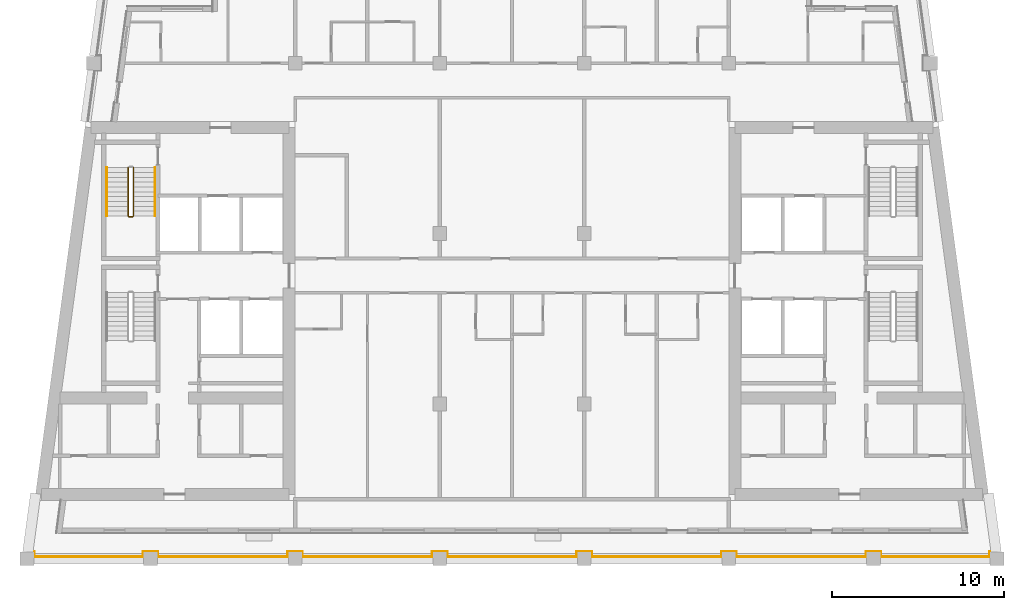
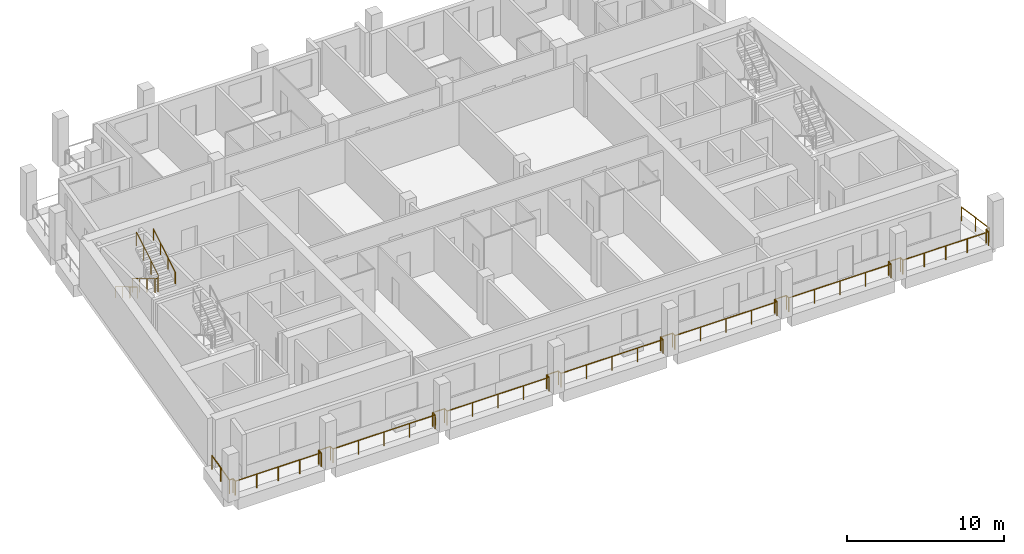
# One storey, part 9 of 13: 4 railings.
"""IFC4 building model written with IfcOpenShell, lengths in metres."""

import ifcopenshell
import ifcopenshell.guid

model = None  # the IFC model being written
_history = None  # IfcOwnerHistory: only IFC2X3 demands one
_inside = {}  # id of a spatial element -> (the spatial element, [elements in it])
_under = {}  # id of a project, library or spatial element -> (it, [spatial elements below it])
_declared = {}  # id of a project -> (the project, [libraries it declares])
_typed = {}  # id of a type object -> (the type object, [elements of that type])
_made_of = {}  # id of a material, layer set ... -> (it, [elements and type objects made of it])


def new_model(schema):
    """Start an empty IFC model of exactly this schema.

    Asked for "IFC4X3", IfcOpenShell would pick the latest addendum, in which some entities
    have other attributes; the version numbers below select the first issue.
    IFC2X3 requires an IfcOwnerHistory on every rooted entity: one is made here for all.
    """
    global model, _history
    if schema == "IFC4X3":
        model = ifcopenshell.file(schema_version=(4, 3, 0, 0))
    else:
        model = ifcopenshell.file(schema=schema)
    _inside.clear()
    _under.clear()
    _declared.clear()
    _typed.clear()
    _made_of.clear()
    _history = None
    if model.schema == "IFC2X3":
        org = make("IfcOrganization", Name="unknown")
        user = make(
            "IfcPersonAndOrganization",
            ThePerson=make("IfcPerson", FamilyName="unknown"),
            TheOrganization=org,
        )
        app = make(
            "IfcApplication",
            ApplicationDeveloper=org,
            Version="unknown",
            ApplicationFullName="unknown",
            ApplicationIdentifier="unknown",
        )
        _history = make(
            "IfcOwnerHistory",
            OwningUser=user,
            OwningApplication=app,
            ChangeAction="ADDED",
            CreationDate=0,
        )
    return model


def make(cls, **values):
    """One entity of the class cls with the attributes given. An attribute that is None is left unset."""
    return model.create_entity(
        cls, **{name: value for name, value in values.items() if value is not None}
    )


def rooted(cls, **values):
    """An entity with a GlobalId (a new one), such as an element, a storey or a relation."""
    return make(cls, GlobalId=ifcopenshell.guid.new(), OwnerHistory=_history, **values)


def si_unit(unit_type, name, prefix=None):
    """IfcSIUnit, for example si_unit("LENGTHUNIT", "METRE", prefix="MILLI")."""
    return make("IfcSIUnit", UnitType=unit_type, Prefix=prefix, Name=name)


def assignment(units):
    """IfcUnitAssignment: the units of a project."""
    return None if units is None else make("IfcUnitAssignment", Units=units)


def point(xyz):
    """IfcCartesianPoint."""
    return None if xyz is None else make("IfcCartesianPoint", Coordinates=xyz)


def direction(xyz):
    """IfcDirection."""
    return None if xyz is None else make("IfcDirection", DirectionRatios=xyz)


def frame(location, z_axis=None, x_axis=None):
    """IfcAxis2Placement3D, a coordinate frame: its origin and axes. An axis left out is left unset."""
    return make(
        "IfcAxis2Placement3D",
        Location=point(location),
        Axis=direction(z_axis),
        RefDirection=direction(x_axis),
    )


def frame_2d(location, x_axis=None):
    """IfcAxis2Placement2D, a coordinate frame in the plane: its origin and x axis."""
    return make(
        "IfcAxis2Placement2D", Location=point(location), RefDirection=direction(x_axis)
    )


def origin():
    """The frame at (0, 0, 0) with its axes left unset."""
    return frame((0.0, 0.0, 0.0))


def origin_2d():
    """The frame at (0, 0) in the plane with its x axis left unset."""
    return frame_2d((0.0, 0.0))


def place(relative_to, where):
    """IfcLocalPlacement: puts the frame where relative to a parent placement (None: the world)."""
    return make(
        "IfcLocalPlacement", PlacementRelTo=relative_to, RelativePlacement=where
    )


def context(
    kind, dimensions, precision=None, world=None, true_north=None, identifier=None
):
    """IfcGeometricRepresentationContext, for example the 3D "Model" context."""
    return make(
        "IfcGeometricRepresentationContext",
        ContextIdentifier=identifier,
        ContextType=kind,
        CoordinateSpaceDimension=dimensions,
        Precision=precision,
        WorldCoordinateSystem=world,
        TrueNorth=true_north,
    )


def subcontext(parent, identifier, kind, view, scale=None):
    """IfcGeometricRepresentationSubContext, for example "Body" below "Model"."""
    return make(
        "IfcGeometricRepresentationSubContext",
        ContextIdentifier=identifier,
        ContextType=kind,
        ParentContext=parent,
        TargetScale=scale,
        TargetView=view,
    )


def project(units=None, contexts=None):
    """IfcProject with its units and contexts."""
    return rooted(
        "IfcProject",
        Name="project",
        RepresentationContexts=contexts,
        UnitsInContext=assignment(units),
    )


def spatial(cls, under=None, at=None, **own):
    """A site, building, storey or space (cls), placed at a placement, below another one or the project."""
    s = rooted(cls, ObjectPlacement=at, **own)
    if under is not None:
        _under.setdefault(under.id(), (under, []))[1].append(s)
    return s


def profile(cls, at=None, kind="AREA", **sizes):
    """A parametric profile (cls). Its sizes go by their IFC names, for example OverallWidth=200.0."""
    return make(cls, ProfileType=kind, Position=at, **sizes)


def circle(**sizes):
    """IfcCircleProfileDef."""
    return profile("IfcCircleProfileDef", **sizes)


def extrude(swept, where, along, depth):
    """IfcExtrudedAreaSolid: the profile swept, set in the frame where, extruded along a direction by depth."""
    return make(
        "IfcExtrudedAreaSolid",
        SweptArea=swept,
        Position=where,
        ExtrudedDirection=direction(along),
        Depth=depth,
    )


def shape(context_of_items, identifier, shape_type, items):
    """IfcShapeRepresentation: the items that make up one representation, for example the "Body"."""
    return make(
        "IfcShapeRepresentation",
        ContextOfItems=context_of_items,
        RepresentationIdentifier=identifier,
        RepresentationType=shape_type,
        Items=items,
    )


def material(Name=None, Category=None):
    """IfcMaterial."""
    return make("IfcMaterial", Name=Name, Category=Category)


def made_of(thing, what):
    """Note that an element or type object is made of a material, layer set ...; save() writes the relation."""
    if what is not None:
        _made_of.setdefault(what.id(), (what, []))[1].append(thing)
    return thing


def type_object(cls, material=None, **own):
    """A type object (cls), such as IfcWallType, which elements share."""
    return made_of(rooted(cls, **own), material)


def element(
    cls,
    number,
    at=None,
    inside=None,
    cuts=None,
    type_object=None,
    material=None,
    context=None,
    identifier="Body",
    shape_type=None,
    held_by="IfcProductDefinitionShape",
    body=None,
    shapes=None,
    **own,
):
    """One element of the class cls, such as IfcWall. Its Tag is "e" and its number.

    at: its placement. inside: the storey or other place that contains it. cuts: it is an
    opening in that element (IfcRelVoidsElement). A single representation is given by context,
    identifier, shape_type and body (its items); several are given by shapes. held_by: the class
    of the entity that holds the representations. save() writes the other relations.
    """
    e = rooted(cls, Tag="e%d" % number, ObjectPlacement=at, **own)
    if body is not None:
        shapes = [shape(context, identifier, shape_type, body)]
    if shapes is not None:
        e.Representation = make(held_by, Representations=shapes)
    if inside is not None:
        _inside.setdefault(inside.id(), (inside, []))[1].append(e)
    if cuts is not None:
        rooted(
            "IfcRelVoidsElement", RelatingBuildingElement=cuts, RelatedOpeningElement=e
        )
    if type_object is not None:
        _typed.setdefault(type_object.id(), (type_object, []))[1].append(e)
    return made_of(e, material)


def aggregate(whole, parts):
    """IfcRelAggregates: a whole, such as a stair, and the parts it consists of."""
    return rooted("IfcRelAggregates", RelatingObject=whole, RelatedObjects=parts)


def save(model, path):
    """Write the relations noted so far, then the file.

    IfcRelAggregates (storeys below a building ...), IfcRelContainedInSpatialStructure (elements
    in a storey), IfcRelDefinesByType, IfcRelAssociatesMaterial and IfcRelDeclares: one each for
    every whole, place, type object, material and project.
    """
    for whole, parts in _under.values():
        aggregate(whole, parts)
    for where, things in _inside.values():
        rooted(
            "IfcRelContainedInSpatialStructure",
            RelatedElements=things,
            RelatingStructure=where,
        )
    for kind, things in _typed.values():
        rooted("IfcRelDefinesByType", RelatedObjects=things, RelatingType=kind)
    for what, things in _made_of.values():
        rooted("IfcRelAssociatesMaterial", RelatedObjects=things, RelatingMaterial=what)
    for by, libraries in _declared.values():
        rooted("IfcRelDeclares", RelatingContext=by, RelatedDefinitions=libraries)
    model.write(path)


model = new_model("IFC4")

# Units and contexts
model_context = context("Model", 3, precision=1e-05, world=origin(), true_north=direction((0.0, 1.0)))
body_context = subcontext(model_context, "Body", "Model", "MODEL_VIEW")
ifc_project = project(units=[si_unit("LENGTHUNIT", "METRE"), si_unit("AREAUNIT", "SQUARE_METRE"), si_unit("VOLUMEUNIT", "CUBIC_METRE"), si_unit("PLANEANGLEUNIT", "RADIAN"), si_unit("MASSUNIT", "GRAM", prefix="KILO")], contexts=[model_context])

# Site, building, storey
site_placement = place(None, origin())
site = spatial("IfcSite", under=ifc_project, at=site_placement, CompositionType="ELEMENT")
building_placement = place(site_placement, origin())
building = spatial("IfcBuilding", under=site, at=building_placement, Name="Candeia Pilgrim Tower and Theatre", CompositionType="ELEMENT")
storey_placement = place(building_placement, frame((0.0, 0.0, 270.10009765625)))
storey = spatial("IfcBuildingStorey", under=building, at=storey_placement, Name="L65", CompositionType="ELEMENT", Elevation=270.10009765625)

# Railings
ifc_material_1 = material(Name="Stainless steel balustrade", Category="steel")
railing_type_1 = type_object("IfcRailingType", Name="G1 loggia guard 1100", PredefinedType="GUARDRAIL", material=ifc_material_1)
railing_1_placement = place(storey_placement, frame((141.016357421875, 110.35009765625, 0.0)))
element("IfcRailing", 1, at=railing_1_placement, inside=storey, type_object=railing_type_1, Name="Guard L65.3", PredefinedType="GUARDRAIL", context=body_context, shape_type="SweptSolid", body=[
    extrude(circle(Radius=0.02392578125, at=origin_2d()), frame((0.0, 0.0, 1.076171875), z_axis=(0.133401056725, -0.991062136329, 0.0), x_axis=(0.991062136329, 0.133401056725, 0.0)), (0.0, 0.0, 1.0), 2.946533203125),
    extrude(circle(Radius=0.02392578125, at=origin_2d()), frame((0.39306640625, -2.920166015625, 1.076171875), z_axis=(-1.0, 0.0, 0.0), x_axis=(0.0, -1.0, 0.0)), (0.0, 0.0, 1.0), 0.2509765625),
    extrude(circle(Radius=0.02392578125, at=origin_2d()), frame((0.14208984375, -2.920166015625, 1.076171875), z_axis=(0.0, -1.0, 0.0), x_axis=(1.0, 0.0, 0.0)), (0.0, 0.0, 1.0), 0.309814453125),
    extrude(circle(Radius=0.02392578125, at=origin_2d()), frame((0.14208984375, -3.22998046875, 1.076171875), z_axis=(-1.0, 0.0, 0.0), x_axis=(0.0, -1.0, 0.0)), (0.0, 0.0, 1.0), 6.328369140625),
    extrude(circle(Radius=0.02392578125, at=origin_2d()), frame((-6.186279296875, -3.22998046875, 1.076171875), z_axis=(0.0, 1.0, 0.0), x_axis=(-1.0, 0.0, 0.0)), (0.0, 0.0, 1.0), 0.309814453125),
    extrude(circle(Radius=0.02392578125, at=origin_2d()), frame((-6.186279296875, -2.920166015625, 1.076171875), z_axis=(-1.0, 0.0, 0.0), x_axis=(0.0, -1.0, 0.0)), (0.0, 0.0, 1.0), 0.860107421875),
    extrude(circle(Radius=0.02392578125, at=origin_2d()), frame((-7.04638671875, -2.920166015625, 1.076171875), z_axis=(0.0, -1.0, 0.0), x_axis=(1.0, 0.0, 0.0)), (0.0, 0.0, 1.0), 0.309814453125),
    extrude(circle(Radius=0.02392578125, at=origin_2d()), frame((-7.04638671875, -3.22998046875, 1.076171875), z_axis=(-1.0, 0.0, 0.0), x_axis=(0.0, -1.0, 0.0)), (0.0, 0.0, 1.0), 7.5400390625),
    extrude(circle(Radius=0.02392578125, at=origin_2d()), frame((-14.58642578125, -3.22998046875, 1.076171875), z_axis=(0.0, 1.0, 0.0), x_axis=(-1.0, 0.0, 0.0)), (0.0, 0.0, 1.0), 0.309814453125),
    extrude(circle(Radius=0.02392578125, at=origin_2d()), frame((-14.58642578125, -2.920166015625, 1.076171875), z_axis=(-1.0, 0.0, 0.0), x_axis=(0.0, -1.0, 0.0)), (0.0, 0.0, 1.0), 0.85986328125),
    extrude(circle(Radius=0.02392578125, at=origin_2d()), frame((-15.4462890625, -2.920166015625, 1.076171875), z_axis=(0.0, -1.0, 0.0), x_axis=(1.0, 0.0, 0.0)), (0.0, 0.0, 1.0), 0.309814453125),
    extrude(circle(Radius=0.02392578125, at=origin_2d()), frame((-15.4462890625, -3.22998046875, 1.076171875), z_axis=(-1.0, 0.0, 0.0), x_axis=(0.0, -1.0, 0.0)), (0.0, 0.0, 1.0), 7.5400390625),
    extrude(circle(Radius=0.02392578125, at=origin_2d()), frame((-22.986328125, -3.22998046875, 1.076171875), z_axis=(0.0, 1.0, 0.0), x_axis=(-1.0, 0.0, 0.0)), (0.0, 0.0, 1.0), 0.309814453125),
    extrude(circle(Radius=0.02392578125, at=origin_2d()), frame((-22.986328125, -2.920166015625, 1.076171875), z_axis=(-1.0, 0.0, 0.0), x_axis=(0.0, -1.0, 0.0)), (0.0, 0.0, 1.0), 0.860107421875),
    extrude(circle(Radius=0.02392578125, at=origin_2d()), frame((-23.846435546875, -2.920166015625, 1.076171875), z_axis=(0.0, -1.0, 0.0), x_axis=(1.0, 0.0, 0.0)), (0.0, 0.0, 1.0), 0.309814453125),
    extrude(circle(Radius=0.02392578125, at=origin_2d()), frame((-23.846435546875, -3.22998046875, 1.076171875), z_axis=(-1.0, 0.0, 0.0), x_axis=(0.0, -1.0, 0.0)), (0.0, 0.0, 1.0), 7.5400390625),
    extrude(circle(Radius=0.02392578125, at=origin_2d()), frame((-31.386474609375, -3.22998046875, 1.076171875), z_axis=(0.0, 1.0, 0.0), x_axis=(-1.0, 0.0, 0.0)), (0.0, 0.0, 1.0), 0.309814453125),
    extrude(circle(Radius=0.02392578125, at=origin_2d()), frame((-31.386474609375, -2.920166015625, 1.076171875), z_axis=(-1.0, 0.0, 0.0), x_axis=(0.0, -1.0, 0.0)), (0.0, 0.0, 1.0), 0.85986328125),
    extrude(circle(Radius=0.02392578125, at=origin_2d()), frame((-32.246337890625, -2.920166015625, 1.076171875), z_axis=(0.0, -1.0, 0.0), x_axis=(1.0, 0.0, 0.0)), (0.0, 0.0, 1.0), 0.309814453125),
    extrude(circle(Radius=0.02392578125, at=origin_2d()), frame((-32.246337890625, -3.22998046875, 1.076171875), z_axis=(-1.0, 0.0, 0.0), x_axis=(0.0, -1.0, 0.0)), (0.0, 0.0, 1.0), 7.5400390625),
    extrude(circle(Radius=0.02392578125, at=origin_2d()), frame((-39.786376953125, -3.22998046875, 1.076171875), z_axis=(0.0, 1.0, 0.0), x_axis=(-1.0, 0.0, 0.0)), (0.0, 0.0, 1.0), 0.309814453125),
    extrude(circle(Radius=0.02392578125, at=origin_2d()), frame((-39.786376953125, -2.920166015625, 1.076171875), z_axis=(-1.0, 0.0, 0.0), x_axis=(0.0, -1.0, 0.0)), (0.0, 0.0, 1.0), 0.85986328125),
    extrude(circle(Radius=0.02392578125, at=origin_2d()), frame((-40.646240234375, -2.920166015625, 1.076171875), z_axis=(0.0, -1.0, 0.0), x_axis=(1.0, 0.0, 0.0)), (0.0, 0.0, 1.0), 0.309814453125),
    extrude(circle(Radius=0.02392578125, at=origin_2d()), frame((-40.646240234375, -3.22998046875, 1.076171875), z_axis=(-1.0, 0.0, 0.0), x_axis=(0.0, -1.0, 0.0)), (0.0, 0.0, 1.0), 7.5400390625),
    extrude(circle(Radius=0.02392578125, at=origin_2d()), frame((-48.186279296875, -3.22998046875, 1.076171875), z_axis=(0.0, 1.0, 0.0), x_axis=(-1.0, 0.0, 0.0)), (0.0, 0.0, 1.0), 0.309814453125),
    extrude(circle(Radius=0.02392578125, at=origin_2d()), frame((-48.186279296875, -2.920166015625, 1.076171875), z_axis=(-1.0, 0.0, 0.0), x_axis=(0.0, -1.0, 0.0)), (0.0, 0.0, 1.0), 0.860107421875),
    extrude(circle(Radius=0.02392578125, at=origin_2d()), frame((-49.04638671875, -2.920166015625, 1.076171875), z_axis=(0.0, -1.0, 0.0), x_axis=(1.0, 0.0, 0.0)), (0.0, 0.0, 1.0), 0.309814453125),
    extrude(circle(Radius=0.02392578125, at=origin_2d()), frame((-49.04638671875, -3.22998046875, 1.076171875), z_axis=(-1.0, 0.0, 0.0), x_axis=(0.0, -1.0, 0.0)), (0.0, 0.0, 1.0), 6.328369140625),
    extrude(circle(Radius=0.02392578125, at=origin_2d()), frame((-55.374755859375, -3.22998046875, 1.076171875), z_axis=(0.0, 1.0, 0.0), x_axis=(-1.0, 0.0, 0.0)), (0.0, 0.0, 1.0), 0.309814453125),
    extrude(circle(Radius=0.02392578125, at=origin_2d()), frame((-55.374755859375, -2.920166015625, 1.076171875), z_axis=(-1.0, 0.0, 0.0), x_axis=(0.0, -1.0, 0.0)), (0.0, 0.0, 1.0), 0.2509765625),
    extrude(circle(Radius=0.02392578125, at=origin_2d()), frame((-55.625732421875, -2.920166015625, 1.076171875), z_axis=(0.133401056725, 0.991062136329, 0.0), x_axis=(-0.991062136329, 0.133401056725, 0.0)), (0.0, 0.0, 1.0), 2.946533203125),
    extrude(circle(Radius=0.02099609375, at=origin_2d()), origin(), (0.0, 0.0, 1.0), 1.052001953125),
    extrude(circle(Radius=0.02099609375, at=origin_2d()), frame((0.196533203125, -1.4599609375, 0.0)), (0.0, 0.0, 1.0), 1.052001953125),
    extrude(circle(Radius=0.02099609375, at=origin_2d()), frame((0.39306640625, -2.920166015625, 0.0)), (0.0, 0.0, 1.0), 1.052001953125),
    extrude(circle(Radius=0.02099609375, at=origin_2d()), frame((0.14208984375, -2.920166015625, 0.0)), (0.0, 0.0, 1.0), 1.052001953125),
    extrude(circle(Radius=0.02099609375, at=origin_2d()), frame((0.14208984375, -3.22998046875, 0.0)), (0.0, 0.0, 1.0), 1.052001953125),
    extrude(circle(Radius=0.02099609375, at=origin_2d()), frame((-1.43994140625, -3.22998046875, 0.0)), (0.0, 0.0, 1.0), 1.052001953125),
    extrude(circle(Radius=0.02099609375, at=origin_2d()), frame((-3.02197265625, -3.22998046875, 0.0)), (0.0, 0.0, 1.0), 1.052001953125),
    extrude(circle(Radius=0.02099609375, at=origin_2d()), frame((-4.604248046875, -3.22998046875, 0.0)), (0.0, 0.0, 1.0), 1.052001953125),
    extrude(circle(Radius=0.02099609375, at=origin_2d()), frame((-6.186279296875, -3.22998046875, 0.0)), (0.0, 0.0, 1.0), 1.052001953125),
    extrude(circle(Radius=0.02099609375, at=origin_2d()), frame((-6.186279296875, -2.920166015625, 0.0)), (0.0, 0.0, 1.0), 1.052001953125),
    extrude(circle(Radius=0.02099609375, at=origin_2d()), frame((-7.04638671875, -2.920166015625, 0.0)), (0.0, 0.0, 1.0), 1.052001953125),
    extrude(circle(Radius=0.02099609375, at=origin_2d()), frame((-7.04638671875, -3.22998046875, 0.0)), (0.0, 0.0, 1.0), 1.052001953125),
    extrude(circle(Radius=0.02099609375, at=origin_2d()), frame((-8.931396484375, -3.22998046875, 0.0)), (0.0, 0.0, 1.0), 1.052001953125),
    extrude(circle(Radius=0.02099609375, at=origin_2d()), frame((-10.81640625, -3.22998046875, 0.0)), (0.0, 0.0, 1.0), 1.052001953125),
    extrude(circle(Radius=0.02099609375, at=origin_2d()), frame((-12.701416015625, -3.22998046875, 0.0)), (0.0, 0.0, 1.0), 1.052001953125),
    extrude(circle(Radius=0.02099609375, at=origin_2d()), frame((-14.58642578125, -3.22998046875, 0.0)), (0.0, 0.0, 1.0), 1.052001953125),
    extrude(circle(Radius=0.02099609375, at=origin_2d()), frame((-14.58642578125, -2.920166015625, 0.0)), (0.0, 0.0, 1.0), 1.052001953125),
    extrude(circle(Radius=0.02099609375, at=origin_2d()), frame((-15.4462890625, -2.920166015625, 0.0)), (0.0, 0.0, 1.0), 1.052001953125),
    extrude(circle(Radius=0.02099609375, at=origin_2d()), frame((-15.4462890625, -3.22998046875, 0.0)), (0.0, 0.0, 1.0), 1.052001953125),
    extrude(circle(Radius=0.02099609375, at=origin_2d()), frame((-17.331298828125, -3.22998046875, 0.0)), (0.0, 0.0, 1.0), 1.052001953125),
    extrude(circle(Radius=0.02099609375, at=origin_2d()), frame((-19.21630859375, -3.22998046875, 0.0)), (0.0, 0.0, 1.0), 1.052001953125),
    extrude(circle(Radius=0.02099609375, at=origin_2d()), frame((-21.101318359375, -3.22998046875, 0.0)), (0.0, 0.0, 1.0), 1.052001953125),
    extrude(circle(Radius=0.02099609375, at=origin_2d()), frame((-22.986328125, -3.22998046875, 0.0)), (0.0, 0.0, 1.0), 1.052001953125),
    extrude(circle(Radius=0.02099609375, at=origin_2d()), frame((-22.986328125, -2.920166015625, 0.0)), (0.0, 0.0, 1.0), 1.052001953125),
    extrude(circle(Radius=0.02099609375, at=origin_2d()), frame((-23.846435546875, -2.920166015625, 0.0)), (0.0, 0.0, 1.0), 1.052001953125),
    extrude(circle(Radius=0.02099609375, at=origin_2d()), frame((-23.846435546875, -3.22998046875, 0.0)), (0.0, 0.0, 1.0), 1.052001953125),
    extrude(circle(Radius=0.02099609375, at=origin_2d()), frame((-25.7314453125, -3.22998046875, 0.0)), (0.0, 0.0, 1.0), 1.052001953125),
    extrude(circle(Radius=0.02099609375, at=origin_2d()), frame((-27.616455078125, -3.22998046875, 0.0)), (0.0, 0.0, 1.0), 1.052001953125),
    extrude(circle(Radius=0.02099609375, at=origin_2d()), frame((-29.50146484375, -3.22998046875, 0.0)), (0.0, 0.0, 1.0), 1.052001953125),
    extrude(circle(Radius=0.02099609375, at=origin_2d()), frame((-31.386474609375, -3.22998046875, 0.0)), (0.0, 0.0, 1.0), 1.052001953125),
    extrude(circle(Radius=0.02099609375, at=origin_2d()), frame((-31.386474609375, -2.920166015625, 0.0)), (0.0, 0.0, 1.0), 1.052001953125),
    extrude(circle(Radius=0.02099609375, at=origin_2d()), frame((-32.246337890625, -2.920166015625, 0.0)), (0.0, 0.0, 1.0), 1.052001953125),
    extrude(circle(Radius=0.02099609375, at=origin_2d()), frame((-32.246337890625, -3.22998046875, 0.0)), (0.0, 0.0, 1.0), 1.052001953125),
    extrude(circle(Radius=0.02099609375, at=origin_2d()), frame((-34.13134765625, -3.22998046875, 0.0)), (0.0, 0.0, 1.0), 1.052001953125),
    extrude(circle(Radius=0.02099609375, at=origin_2d()), frame((-36.016357421875, -3.22998046875, 0.0)), (0.0, 0.0, 1.0), 1.052001953125),
    extrude(circle(Radius=0.02099609375, at=origin_2d()), frame((-37.9013671875, -3.22998046875, 0.0)), (0.0, 0.0, 1.0), 1.052001953125),
    extrude(circle(Radius=0.02099609375, at=origin_2d()), frame((-39.786376953125, -3.22998046875, 0.0)), (0.0, 0.0, 1.0), 1.052001953125),
    extrude(circle(Radius=0.02099609375, at=origin_2d()), frame((-39.786376953125, -2.920166015625, 0.0)), (0.0, 0.0, 1.0), 1.052001953125),
    extrude(circle(Radius=0.02099609375, at=origin_2d()), frame((-40.646240234375, -2.920166015625, 0.0)), (0.0, 0.0, 1.0), 1.052001953125),
    extrude(circle(Radius=0.02099609375, at=origin_2d()), frame((-40.646240234375, -3.22998046875, 0.0)), (0.0, 0.0, 1.0), 1.052001953125),
    extrude(circle(Radius=0.02099609375, at=origin_2d()), frame((-42.53125, -3.22998046875, 0.0)), (0.0, 0.0, 1.0), 1.052001953125),
    extrude(circle(Radius=0.02099609375, at=origin_2d()), frame((-44.416259765625, -3.22998046875, 0.0)), (0.0, 0.0, 1.0), 1.052001953125),
    extrude(circle(Radius=0.02099609375, at=origin_2d()), frame((-46.30126953125, -3.22998046875, 0.0)), (0.0, 0.0, 1.0), 1.052001953125),
    extrude(circle(Radius=0.02099609375, at=origin_2d()), frame((-48.186279296875, -3.22998046875, 0.0)), (0.0, 0.0, 1.0), 1.052001953125),
    extrude(circle(Radius=0.02099609375, at=origin_2d()), frame((-48.186279296875, -2.920166015625, 0.0)), (0.0, 0.0, 1.0), 1.052001953125),
    extrude(circle(Radius=0.02099609375, at=origin_2d()), frame((-49.04638671875, -2.920166015625, 0.0)), (0.0, 0.0, 1.0), 1.052001953125),
    extrude(circle(Radius=0.02099609375, at=origin_2d()), frame((-49.04638671875, -3.22998046875, 0.0)), (0.0, 0.0, 1.0), 1.052001953125),
    extrude(circle(Radius=0.02099609375, at=origin_2d()), frame((-50.62841796875, -3.22998046875, 0.0)), (0.0, 0.0, 1.0), 1.052001953125),
    extrude(circle(Radius=0.02099609375, at=origin_2d()), frame((-52.21044921875, -3.22998046875, 0.0)), (0.0, 0.0, 1.0), 1.052001953125),
    extrude(circle(Radius=0.02099609375, at=origin_2d()), frame((-53.792724609375, -3.22998046875, 0.0)), (0.0, 0.0, 1.0), 1.052001953125),
    extrude(circle(Radius=0.02099609375, at=origin_2d()), frame((-55.374755859375, -3.22998046875, 0.0)), (0.0, 0.0, 1.0), 1.052001953125),
    extrude(circle(Radius=0.02099609375, at=origin_2d()), frame((-55.374755859375, -2.920166015625, 0.0)), (0.0, 0.0, 1.0), 1.052001953125),
    extrude(circle(Radius=0.02099609375, at=origin_2d()), frame((-55.625732421875, -2.920166015625, 0.0)), (0.0, 0.0, 1.0), 1.052001953125),
    extrude(circle(Radius=0.02099609375, at=origin_2d()), frame((-55.42919921875, -1.4599609375, 0.0)), (0.0, 0.0, 1.0), 1.052001953125),
    extrude(circle(Radius=0.02099609375, at=origin_2d()), frame((-55.232666015625, 0.0, 0.0)), (0.0, 0.0, 1.0), 1.052001953125),
])
railing_type_2 = type_object("IfcRailingType", Name="RL-GUARD-1100", PredefinedType="GUARDRAIL", material=ifc_material_1)
railing_2_placement = place(storey_placement, frame((91.10205078125, 129.72509765625, 0.16796875)))
element("IfcRailing", 2, at=railing_2_placement, inside=storey, type_object=railing_type_2, Name="L65 ST2 stair guard 1", PredefinedType="GUARDRAIL", context=body_context, shape_type="SweptSolid", body=[
    extrude(circle(Radius=0.02392578125, at=origin_2d()), frame((0.0, 0.0, 1.076171875), z_axis=(0.0, -0.857242210791, 0.514913383045), x_axis=(1.0, 0.0, 0.0)), (0.0, 0.0, 1.0), 3.266357421875),
    extrude(circle(Radius=0.02392578125, at=origin_2d()), frame((0.0, -2.800048828125, 2.7578125), z_axis=(0.707106781187, -0.707106781187, 0.0), x_axis=(0.707106781187, 0.707106781187, 0.0)), (0.0, 0.0, 1.0), 0.07080078125),
    extrude(circle(Radius=0.02392578125, at=origin_2d()), frame((0.050048828125, -2.85009765625, 2.7578125), z_axis=(1.0, 0.0, 0.0), x_axis=(0.0, 1.0, 0.0)), (0.0, 0.0, 1.0), 0.199951171875),
    extrude(circle(Radius=0.02392578125, at=origin_2d()), frame((0.25, -2.85009765625, 2.7578125), z_axis=(0.274243871929, 0.274243871929, 0.92172696468), x_axis=(-0.707106781187, 0.707106781187, 0.0)), (0.0, 0.0, 1.0), 0.1826171875),
    extrude(circle(Radius=0.02392578125, at=origin_2d()), frame((0.300048828125, -2.800048828125, 2.92626953125), z_axis=(0.0, 0.857242210791, 0.514913383045), x_axis=(-1.0, 0.0, 0.0)), (0.0, 0.0, 1.0), 3.266357421875),
    extrude(circle(Radius=0.02099609375, at=origin_2d()), origin(), (0.0, 0.0, 1.0), 1.052001953125),
    extrude(circle(Radius=0.02099609375, at=origin_2d()), frame((0.0, -0.933349609375, 0.560546875)), (0.0, 0.0, 1.0), 1.052001953125),
    extrude(circle(Radius=0.02099609375, at=origin_2d()), frame((0.0, -1.86669921875, 1.121337890625)), (0.0, 0.0, 1.0), 1.052001953125),
    extrude(circle(Radius=0.02099609375, at=origin_2d()), frame((0.0, -2.800048828125, 1.681884765625)), (0.0, 0.0, 1.0), 1.052001953125),
    extrude(circle(Radius=0.02099609375, at=origin_2d()), frame((0.050048828125, -2.85009765625, 1.681884765625)), (0.0, 0.0, 1.0), 1.052001953125),
    extrude(circle(Radius=0.02099609375, at=origin_2d()), frame((0.25, -2.85009765625, 1.681884765625)), (0.0, 0.0, 1.0), 1.052001953125),
    extrude(circle(Radius=0.02099609375, at=origin_2d()), frame((0.300048828125, -2.800048828125, 1.85009765625)), (0.0, 0.0, 1.0), 1.052001953125),
    extrude(circle(Radius=0.02099609375, at=origin_2d()), frame((0.300048828125, -1.86669921875, 2.41064453125)), (0.0, 0.0, 1.0), 1.052001953125),
    extrude(circle(Radius=0.02099609375, at=origin_2d()), frame((0.300048828125, -0.933349609375, 2.971435546875)), (0.0, 0.0, 1.0), 1.052001953125),
    extrude(circle(Radius=0.02099609375, at=origin_2d()), frame((0.300048828125, 0.0, 3.531982421875)), (0.0, 0.0, 1.0), 1.052001953125),
])
ifc_material_2 = material(Name="Stainless steel handrail", Category="steel")
railing_type_3 = type_object("IfcRailingType", Name="RL-HANDRAIL-900", PredefinedType="HANDRAIL", material=ifc_material_2)
railing_3_placement = place(storey_placement, frame((89.85205078125, 129.72509765625, 0.16796875)))
element("IfcRailing", 3, at=railing_3_placement, inside=storey, type_object=railing_type_3, Name="L65 ST2 stair handrail 1", PredefinedType="HANDRAIL", context=body_context, shape_type="SweptSolid", body=[
    extrude(circle(Radius=0.02392578125, at=origin_2d()), frame((0.0, 0.0, 0.8759765625), z_axis=(0.0, -0.857242210791, 0.514913383045), x_axis=(1.0, 0.0, 0.0)), (0.0, 0.0, 1.0), 3.266357421875),
    extrude(circle(Radius=0.02099609375, at=origin_2d()), origin(), (0.0, 0.0, 1.0), 0.851806640625),
    extrude(circle(Radius=0.02099609375, at=origin_2d()), frame((0.0, -0.933349609375, 0.560546875)), (0.0, 0.0, 1.0), 0.851806640625),
    extrude(circle(Radius=0.02099609375, at=origin_2d()), frame((0.0, -1.86669921875, 1.121337890625)), (0.0, 0.0, 1.0), 0.851806640625),
    extrude(circle(Radius=0.02099609375, at=origin_2d()), frame((0.0, -2.800048828125, 1.681884765625)), (0.0, 0.0, 1.0), 0.851806640625),
])
railing_4_placement = place(storey_placement, frame((92.652099609375, 126.925048828125, 2.01806640625)))
element("IfcRailing", 4, at=railing_4_placement, inside=storey, type_object=railing_type_3, Name="L65 ST2 stair handrail 2", PredefinedType="HANDRAIL", context=body_context, shape_type="SweptSolid", body=[
    extrude(circle(Radius=0.02392578125, at=origin_2d()), frame((0.0, 0.0, 0.8759765625), z_axis=(0.0, 0.857242210791, 0.514913383045), x_axis=(-1.0, 0.0, 0.0)), (0.0, 0.0, 1.0), 3.266357421875),
    extrude(circle(Radius=0.02099609375, at=origin_2d()), origin(), (0.0, 0.0, 1.0), 0.851806640625),
    extrude(circle(Radius=0.02099609375, at=origin_2d()), frame((0.0, 0.933349609375, 0.560546875)), (0.0, 0.0, 1.0), 0.851806640625),
    extrude(circle(Radius=0.02099609375, at=origin_2d()), frame((0.0, 1.86669921875, 1.121337890625)), (0.0, 0.0, 1.0), 0.851806640625),
    extrude(circle(Radius=0.02099609375, at=origin_2d()), frame((0.0, 2.800048828125, 1.681884765625)), (0.0, 0.0, 1.0), 0.851806640625),
])

save(model, "model.ifc")
